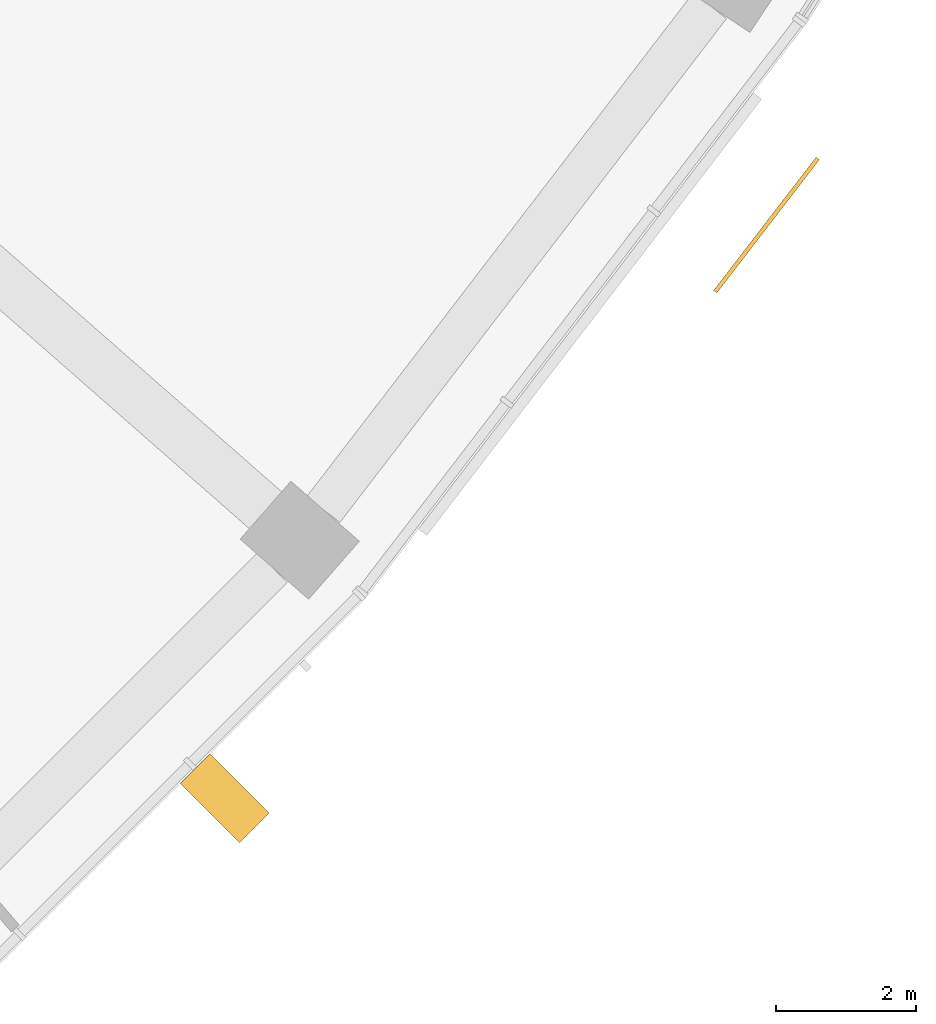
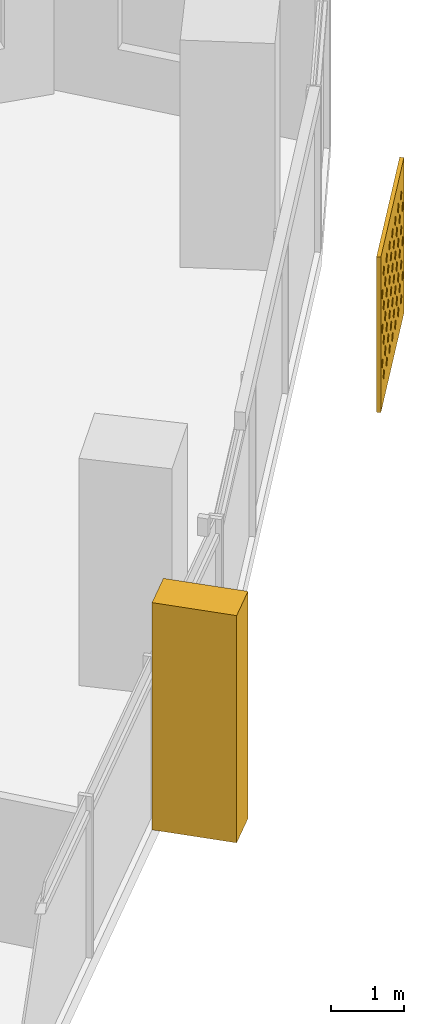
# One storey, part 27 of 27: 2 shading devices.
"""IFC4 building model written with IfcOpenShell, lengths in metres."""

from ifc_helpers import new_model, si_unit, direction, frame, origin, place, context, subcontext, project, spatial, polyline, outline, extrude, material, material_profile, profile_set, type_object, element, save


model = new_model("IFC4")

# Units and contexts
model_context = context("Model", 3, precision=1e-05, world=origin(), true_north=direction((0.0, 1.0)))
body_context = subcontext(model_context, "Body", "Model", "MODEL_VIEW")
ifc_project = project(units=[si_unit("LENGTHUNIT", "METRE"), si_unit("AREAUNIT", "SQUARE_METRE"), si_unit("VOLUMEUNIT", "CUBIC_METRE"), si_unit("PLANEANGLEUNIT", "RADIAN"), si_unit("MASSUNIT", "GRAM", prefix="KILO")], contexts=[model_context])

# Site, building, storey
site_placement = place(None, origin())
site = spatial("IfcSite", under=ifc_project, at=site_placement, CompositionType="ELEMENT")
building_placement = place(site_placement, origin())
building = spatial("IfcBuilding", under=site, at=building_placement, Name="Qamariyya Broadcast Tower", CompositionType="ELEMENT")
storey_placement = place(building_placement, frame((0.0, 0.0, 175.89990234375)))
storey = spatial("IfcBuildingStorey", under=building, at=storey_placement, Name="L41", CompositionType="ELEMENT", Elevation=175.89990234375)

# Shading devices
ifc_material_1 = material(Name="Steel S355 powder coated deep red", Category="steel")
shading_device_type_1 = type_object("IfcShadingDeviceType", Name="Deep red frame, powder coated steel box section", PredefinedType="USERDEFINED", material=ifc_material_1)
shading_device_1_placement = place(storey_placement, origin())
element("IfcShadingDevice", 1, at=shading_device_1_placement, inside=storey, type_object=shading_device_type_1, Name="e-frm-B3-F5-postb-L41", ObjectType="FRAME", PredefinedType="USERDEFINED", context=body_context, shape_type="SweptSolid", body=[
    extrude(outline(polyline([(56.74755859375, -54.736083984375), (57.595947265625, -55.584716796875), (58.020263671875, -55.160400390625), (57.171875, -54.311767578125), (56.74755859375, -54.736083984375)])), origin(), (0.0, 0.0, 1.0), 3.800048828125),
])
ifc_material_2 = material(Name="Perforated glazed terracotta", Category="masonry")
ifc_material_profile = material_profile(ifc_material_2, outline(polyline([(-1.199951171875, -1.300048828125), (1.199951171875, -1.300048828125), (1.199951171875, 1.300048828125), (-1.199951171875, 1.300048828125), (-1.199951171875, -1.300048828125)]), holes=[polyline([(-0.81494140625, -0.86669921875), (-0.89990234375, -0.78173828125), (-0.985107421875, -0.86669921875), (-0.89990234375, -0.95166015625), (-0.81494140625, -0.86669921875)]), polyline([(-0.514892578125, -0.86669921875), (-0.60009765625, -0.78173828125), (-0.68505859375, -0.86669921875), (-0.60009765625, -0.95166015625), (-0.514892578125, -0.86669921875)]), polyline([(-0.215087890625, -0.86669921875), (-0.300048828125, -0.78173828125), (-0.385009765625, -0.86669921875), (-0.300048828125, -0.95166015625), (-0.215087890625, -0.86669921875)]), polyline([(0.0849609375, -0.86669921875), (0.0, -0.78173828125), (-0.0849609375, -0.86669921875), (0.0, -0.95166015625), (0.0849609375, -0.86669921875)]), polyline([(0.385009765625, -0.86669921875), (0.300048828125, -0.78173828125), (0.215087890625, -0.86669921875), (0.300048828125, -0.95166015625), (0.385009765625, -0.86669921875)]), polyline([(0.68505859375, -0.86669921875), (0.60009765625, -0.78173828125), (0.514892578125, -0.86669921875), (0.60009765625, -0.95166015625), (0.68505859375, -0.86669921875)]), polyline([(0.985107421875, -0.86669921875), (0.89990234375, -0.78173828125), (0.81494140625, -0.86669921875), (0.89990234375, -0.95166015625), (0.985107421875, -0.86669921875)]), polyline([(-0.965087890625, -0.577880859375), (-1.050048828125, -0.49267578125), (-1.135009765625, -0.577880859375), (-1.050048828125, -0.662841796875), (-0.965087890625, -0.577880859375)]), polyline([(-0.6650390625, -0.577880859375), (-0.75, -0.49267578125), (-0.8349609375, -0.577880859375), (-0.75, -0.662841796875), (-0.6650390625, -0.577880859375)]), polyline([(-0.364990234375, -0.577880859375), (-0.449951171875, -0.49267578125), (-0.534912109375, -0.577880859375), (-0.449951171875, -0.662841796875), (-0.364990234375, -0.577880859375)]), polyline([(-0.06494140625, -0.577880859375), (-0.14990234375, -0.49267578125), (-0.235107421875, -0.577880859375), (-0.14990234375, -0.662841796875), (-0.06494140625, -0.577880859375)]), polyline([(0.235107421875, -0.577880859375), (0.14990234375, -0.49267578125), (0.06494140625, -0.577880859375), (0.14990234375, -0.662841796875), (0.235107421875, -0.577880859375)]), polyline([(0.534912109375, -0.577880859375), (0.449951171875, -0.49267578125), (0.364990234375, -0.577880859375), (0.449951171875, -0.662841796875), (0.534912109375, -0.577880859375)]), polyline([(0.8349609375, -0.577880859375), (0.75, -0.49267578125), (0.6650390625, -0.577880859375), (0.75, -0.662841796875), (0.8349609375, -0.577880859375)]), polyline([(1.135009765625, -0.577880859375), (1.050048828125, -0.49267578125), (0.965087890625, -0.577880859375), (1.050048828125, -0.662841796875), (1.135009765625, -0.577880859375)]), polyline([(-0.81494140625, -0.288818359375), (-0.89990234375, -0.203857421875), (-0.985107421875, -0.288818359375), (-0.89990234375, -0.373779296875), (-0.81494140625, -0.288818359375)]), polyline([(-0.514892578125, -0.288818359375), (-0.60009765625, -0.203857421875), (-0.68505859375, -0.288818359375), (-0.60009765625, -0.373779296875), (-0.514892578125, -0.288818359375)]), polyline([(-0.215087890625, -0.288818359375), (-0.300048828125, -0.203857421875), (-0.385009765625, -0.288818359375), (-0.300048828125, -0.373779296875), (-0.215087890625, -0.288818359375)]), polyline([(0.0849609375, -0.288818359375), (0.0, -0.203857421875), (-0.0849609375, -0.288818359375), (0.0, -0.373779296875), (0.0849609375, -0.288818359375)]), polyline([(0.385009765625, -0.288818359375), (0.300048828125, -0.203857421875), (0.215087890625, -0.288818359375), (0.300048828125, -0.373779296875), (0.385009765625, -0.288818359375)]), polyline([(0.68505859375, -0.288818359375), (0.60009765625, -0.203857421875), (0.514892578125, -0.288818359375), (0.60009765625, -0.373779296875), (0.68505859375, -0.288818359375)]), polyline([(0.985107421875, -0.288818359375), (0.89990234375, -0.203857421875), (0.81494140625, -0.288818359375), (0.89990234375, -0.373779296875), (0.985107421875, -0.288818359375)]), polyline([(-0.965087890625, 0.0), (-1.050048828125, 0.0849609375), (-1.135009765625, 0.0), (-1.050048828125, -0.0849609375), (-0.965087890625, 0.0)]), polyline([(-0.6650390625, 0.0), (-0.75, 0.0849609375), (-0.8349609375, 0.0), (-0.75, -0.0849609375), (-0.6650390625, 0.0)]), polyline([(-0.364990234375, 0.0), (-0.449951171875, 0.0849609375), (-0.534912109375, 0.0), (-0.449951171875, -0.0849609375), (-0.364990234375, 0.0)]), polyline([(-0.06494140625, 0.0), (-0.14990234375, 0.0849609375), (-0.235107421875, 0.0), (-0.14990234375, -0.0849609375), (-0.06494140625, 0.0)]), polyline([(0.235107421875, 0.0), (0.14990234375, 0.0849609375), (0.06494140625, 0.0), (0.14990234375, -0.0849609375), (0.235107421875, 0.0)]), polyline([(0.534912109375, 0.0), (0.449951171875, 0.0849609375), (0.364990234375, 0.0), (0.449951171875, -0.0849609375), (0.534912109375, 0.0)]), polyline([(0.8349609375, 0.0), (0.75, 0.0849609375), (0.6650390625, 0.0), (0.75, -0.0849609375), (0.8349609375, 0.0)]), polyline([(1.135009765625, 0.0), (1.050048828125, 0.0849609375), (0.965087890625, 0.0), (1.050048828125, -0.0849609375), (1.135009765625, 0.0)]), polyline([(-0.81494140625, 0.288818359375), (-0.89990234375, 0.373779296875), (-0.985107421875, 0.288818359375), (-0.89990234375, 0.203857421875), (-0.81494140625, 0.288818359375)]), polyline([(-0.514892578125, 0.288818359375), (-0.60009765625, 0.373779296875), (-0.68505859375, 0.288818359375), (-0.60009765625, 0.203857421875), (-0.514892578125, 0.288818359375)]), polyline([(-0.215087890625, 0.288818359375), (-0.300048828125, 0.373779296875), (-0.385009765625, 0.288818359375), (-0.300048828125, 0.203857421875), (-0.215087890625, 0.288818359375)]), polyline([(0.0849609375, 0.288818359375), (0.0, 0.373779296875), (-0.0849609375, 0.288818359375), (0.0, 0.203857421875), (0.0849609375, 0.288818359375)]), polyline([(0.385009765625, 0.288818359375), (0.300048828125, 0.373779296875), (0.215087890625, 0.288818359375), (0.300048828125, 0.203857421875), (0.385009765625, 0.288818359375)]), polyline([(0.68505859375, 0.288818359375), (0.60009765625, 0.373779296875), (0.514892578125, 0.288818359375), (0.60009765625, 0.203857421875), (0.68505859375, 0.288818359375)]), polyline([(0.985107421875, 0.288818359375), (0.89990234375, 0.373779296875), (0.81494140625, 0.288818359375), (0.89990234375, 0.203857421875), (0.985107421875, 0.288818359375)]), polyline([(-0.965087890625, 0.577880859375), (-1.050048828125, 0.662841796875), (-1.135009765625, 0.577880859375), (-1.050048828125, 0.49267578125), (-0.965087890625, 0.577880859375)]), polyline([(-0.6650390625, 0.577880859375), (-0.75, 0.662841796875), (-0.8349609375, 0.577880859375), (-0.75, 0.49267578125), (-0.6650390625, 0.577880859375)]), polyline([(-0.364990234375, 0.577880859375), (-0.449951171875, 0.662841796875), (-0.534912109375, 0.577880859375), (-0.449951171875, 0.49267578125), (-0.364990234375, 0.577880859375)]), polyline([(-0.06494140625, 0.577880859375), (-0.14990234375, 0.662841796875), (-0.235107421875, 0.577880859375), (-0.14990234375, 0.49267578125), (-0.06494140625, 0.577880859375)]), polyline([(0.235107421875, 0.577880859375), (0.14990234375, 0.662841796875), (0.06494140625, 0.577880859375), (0.14990234375, 0.49267578125), (0.235107421875, 0.577880859375)]), polyline([(0.534912109375, 0.577880859375), (0.449951171875, 0.662841796875), (0.364990234375, 0.577880859375), (0.449951171875, 0.49267578125), (0.534912109375, 0.577880859375)]), polyline([(0.8349609375, 0.577880859375), (0.75, 0.662841796875), (0.6650390625, 0.577880859375), (0.75, 0.49267578125), (0.8349609375, 0.577880859375)]), polyline([(1.135009765625, 0.577880859375), (1.050048828125, 0.662841796875), (0.965087890625, 0.577880859375), (1.050048828125, 0.49267578125), (1.135009765625, 0.577880859375)]), polyline([(-0.81494140625, 0.86669921875), (-0.89990234375, 0.95166015625), (-0.985107421875, 0.86669921875), (-0.89990234375, 0.78173828125), (-0.81494140625, 0.86669921875)]), polyline([(-0.514892578125, 0.86669921875), (-0.60009765625, 0.95166015625), (-0.68505859375, 0.86669921875), (-0.60009765625, 0.78173828125), (-0.514892578125, 0.86669921875)]), polyline([(-0.215087890625, 0.86669921875), (-0.300048828125, 0.95166015625), (-0.385009765625, 0.86669921875), (-0.300048828125, 0.78173828125), (-0.215087890625, 0.86669921875)]), polyline([(0.0849609375, 0.86669921875), (0.0, 0.95166015625), (-0.0849609375, 0.86669921875), (0.0, 0.78173828125), (0.0849609375, 0.86669921875)]), polyline([(0.385009765625, 0.86669921875), (0.300048828125, 0.95166015625), (0.215087890625, 0.86669921875), (0.300048828125, 0.78173828125), (0.385009765625, 0.86669921875)]), polyline([(0.68505859375, 0.86669921875), (0.60009765625, 0.95166015625), (0.514892578125, 0.86669921875), (0.60009765625, 0.78173828125), (0.68505859375, 0.86669921875)]), polyline([(0.985107421875, 0.86669921875), (0.89990234375, 0.95166015625), (0.81494140625, 0.86669921875), (0.89990234375, 0.78173828125), (0.985107421875, 0.86669921875)])]))
ifc_profile_set = profile_set([ifc_material_profile], Name="Perforated glazed terracotta")
shading_device_type_2 = type_object("IfcShadingDeviceType", Name="Perforated terracotta screen 2400 x 2600", PredefinedType="USERDEFINED", material=ifc_profile_set)
shading_device_2_placement = place(storey_placement, frame((65.095458984375, -46.745849609375, 1.35009765625), z_axis=(0.792623989105, -0.60971076085, 0.0), x_axis=(0.60971076085, 0.792623989105, 0.0)))
element("IfcShadingDevice", 2, at=shading_device_2_placement, inside=storey, type_object=shading_device_type_2, Name="e-scr-L41-14-2", ObjectType="SCREEN", PredefinedType="USERDEFINED", context=body_context, shape_type="SweptSolid", body=[
    extrude(outline(polyline([(-1.199951171875, -1.300048828125), (1.199951171875, -1.300048828125), (1.199951171875, 1.300048828125), (-1.199951171875, 1.300048828125), (-1.199951171875, -1.300048828125)]), holes=[polyline([(-0.81494140625, -0.86669921875), (-0.89990234375, -0.78173828125), (-0.985107421875, -0.86669921875), (-0.89990234375, -0.95166015625), (-0.81494140625, -0.86669921875)]), polyline([(-0.514892578125, -0.86669921875), (-0.60009765625, -0.78173828125), (-0.68505859375, -0.86669921875), (-0.60009765625, -0.95166015625), (-0.514892578125, -0.86669921875)]), polyline([(-0.215087890625, -0.86669921875), (-0.300048828125, -0.78173828125), (-0.385009765625, -0.86669921875), (-0.300048828125, -0.95166015625), (-0.215087890625, -0.86669921875)]), polyline([(0.0849609375, -0.86669921875), (0.0, -0.78173828125), (-0.0849609375, -0.86669921875), (0.0, -0.95166015625), (0.0849609375, -0.86669921875)]), polyline([(0.385009765625, -0.86669921875), (0.300048828125, -0.78173828125), (0.215087890625, -0.86669921875), (0.300048828125, -0.95166015625), (0.385009765625, -0.86669921875)]), polyline([(0.68505859375, -0.86669921875), (0.60009765625, -0.78173828125), (0.514892578125, -0.86669921875), (0.60009765625, -0.95166015625), (0.68505859375, -0.86669921875)]), polyline([(0.985107421875, -0.86669921875), (0.89990234375, -0.78173828125), (0.81494140625, -0.86669921875), (0.89990234375, -0.95166015625), (0.985107421875, -0.86669921875)]), polyline([(-0.965087890625, -0.577880859375), (-1.050048828125, -0.49267578125), (-1.135009765625, -0.577880859375), (-1.050048828125, -0.662841796875), (-0.965087890625, -0.577880859375)]), polyline([(-0.6650390625, -0.577880859375), (-0.75, -0.49267578125), (-0.8349609375, -0.577880859375), (-0.75, -0.662841796875), (-0.6650390625, -0.577880859375)]), polyline([(-0.364990234375, -0.577880859375), (-0.449951171875, -0.49267578125), (-0.534912109375, -0.577880859375), (-0.449951171875, -0.662841796875), (-0.364990234375, -0.577880859375)]), polyline([(-0.06494140625, -0.577880859375), (-0.14990234375, -0.49267578125), (-0.235107421875, -0.577880859375), (-0.14990234375, -0.662841796875), (-0.06494140625, -0.577880859375)]), polyline([(0.235107421875, -0.577880859375), (0.14990234375, -0.49267578125), (0.06494140625, -0.577880859375), (0.14990234375, -0.662841796875), (0.235107421875, -0.577880859375)]), polyline([(0.534912109375, -0.577880859375), (0.449951171875, -0.49267578125), (0.364990234375, -0.577880859375), (0.449951171875, -0.662841796875), (0.534912109375, -0.577880859375)]), polyline([(0.8349609375, -0.577880859375), (0.75, -0.49267578125), (0.6650390625, -0.577880859375), (0.75, -0.662841796875), (0.8349609375, -0.577880859375)]), polyline([(1.135009765625, -0.577880859375), (1.050048828125, -0.49267578125), (0.965087890625, -0.577880859375), (1.050048828125, -0.662841796875), (1.135009765625, -0.577880859375)]), polyline([(-0.81494140625, -0.288818359375), (-0.89990234375, -0.203857421875), (-0.985107421875, -0.288818359375), (-0.89990234375, -0.373779296875), (-0.81494140625, -0.288818359375)]), polyline([(-0.514892578125, -0.288818359375), (-0.60009765625, -0.203857421875), (-0.68505859375, -0.288818359375), (-0.60009765625, -0.373779296875), (-0.514892578125, -0.288818359375)]), polyline([(-0.215087890625, -0.288818359375), (-0.300048828125, -0.203857421875), (-0.385009765625, -0.288818359375), (-0.300048828125, -0.373779296875), (-0.215087890625, -0.288818359375)]), polyline([(0.0849609375, -0.288818359375), (0.0, -0.203857421875), (-0.0849609375, -0.288818359375), (0.0, -0.373779296875), (0.0849609375, -0.288818359375)]), polyline([(0.385009765625, -0.288818359375), (0.300048828125, -0.203857421875), (0.215087890625, -0.288818359375), (0.300048828125, -0.373779296875), (0.385009765625, -0.288818359375)]), polyline([(0.68505859375, -0.288818359375), (0.60009765625, -0.203857421875), (0.514892578125, -0.288818359375), (0.60009765625, -0.373779296875), (0.68505859375, -0.288818359375)]), polyline([(0.985107421875, -0.288818359375), (0.89990234375, -0.203857421875), (0.81494140625, -0.288818359375), (0.89990234375, -0.373779296875), (0.985107421875, -0.288818359375)]), polyline([(-0.965087890625, 0.0), (-1.050048828125, 0.0849609375), (-1.135009765625, 0.0), (-1.050048828125, -0.0849609375), (-0.965087890625, 0.0)]), polyline([(-0.6650390625, 0.0), (-0.75, 0.0849609375), (-0.8349609375, 0.0), (-0.75, -0.0849609375), (-0.6650390625, 0.0)]), polyline([(-0.364990234375, 0.0), (-0.449951171875, 0.0849609375), (-0.534912109375, 0.0), (-0.449951171875, -0.0849609375), (-0.364990234375, 0.0)]), polyline([(-0.06494140625, 0.0), (-0.14990234375, 0.0849609375), (-0.235107421875, 0.0), (-0.14990234375, -0.0849609375), (-0.06494140625, 0.0)]), polyline([(0.235107421875, 0.0), (0.14990234375, 0.0849609375), (0.06494140625, 0.0), (0.14990234375, -0.0849609375), (0.235107421875, 0.0)]), polyline([(0.534912109375, 0.0), (0.449951171875, 0.0849609375), (0.364990234375, 0.0), (0.449951171875, -0.0849609375), (0.534912109375, 0.0)]), polyline([(0.8349609375, 0.0), (0.75, 0.0849609375), (0.6650390625, 0.0), (0.75, -0.0849609375), (0.8349609375, 0.0)]), polyline([(1.135009765625, 0.0), (1.050048828125, 0.0849609375), (0.965087890625, 0.0), (1.050048828125, -0.0849609375), (1.135009765625, 0.0)]), polyline([(-0.81494140625, 0.288818359375), (-0.89990234375, 0.373779296875), (-0.985107421875, 0.288818359375), (-0.89990234375, 0.203857421875), (-0.81494140625, 0.288818359375)]), polyline([(-0.514892578125, 0.288818359375), (-0.60009765625, 0.373779296875), (-0.68505859375, 0.288818359375), (-0.60009765625, 0.203857421875), (-0.514892578125, 0.288818359375)]), polyline([(-0.215087890625, 0.288818359375), (-0.300048828125, 0.373779296875), (-0.385009765625, 0.288818359375), (-0.300048828125, 0.203857421875), (-0.215087890625, 0.288818359375)]), polyline([(0.0849609375, 0.288818359375), (0.0, 0.373779296875), (-0.0849609375, 0.288818359375), (0.0, 0.203857421875), (0.0849609375, 0.288818359375)]), polyline([(0.385009765625, 0.288818359375), (0.300048828125, 0.373779296875), (0.215087890625, 0.288818359375), (0.300048828125, 0.203857421875), (0.385009765625, 0.288818359375)]), polyline([(0.68505859375, 0.288818359375), (0.60009765625, 0.373779296875), (0.514892578125, 0.288818359375), (0.60009765625, 0.203857421875), (0.68505859375, 0.288818359375)]), polyline([(0.985107421875, 0.288818359375), (0.89990234375, 0.373779296875), (0.81494140625, 0.288818359375), (0.89990234375, 0.203857421875), (0.985107421875, 0.288818359375)]), polyline([(-0.965087890625, 0.577880859375), (-1.050048828125, 0.662841796875), (-1.135009765625, 0.577880859375), (-1.050048828125, 0.49267578125), (-0.965087890625, 0.577880859375)]), polyline([(-0.6650390625, 0.577880859375), (-0.75, 0.662841796875), (-0.8349609375, 0.577880859375), (-0.75, 0.49267578125), (-0.6650390625, 0.577880859375)]), polyline([(-0.364990234375, 0.577880859375), (-0.449951171875, 0.662841796875), (-0.534912109375, 0.577880859375), (-0.449951171875, 0.49267578125), (-0.364990234375, 0.577880859375)]), polyline([(-0.06494140625, 0.577880859375), (-0.14990234375, 0.662841796875), (-0.235107421875, 0.577880859375), (-0.14990234375, 0.49267578125), (-0.06494140625, 0.577880859375)]), polyline([(0.235107421875, 0.577880859375), (0.14990234375, 0.662841796875), (0.06494140625, 0.577880859375), (0.14990234375, 0.49267578125), (0.235107421875, 0.577880859375)]), polyline([(0.534912109375, 0.577880859375), (0.449951171875, 0.662841796875), (0.364990234375, 0.577880859375), (0.449951171875, 0.49267578125), (0.534912109375, 0.577880859375)]), polyline([(0.8349609375, 0.577880859375), (0.75, 0.662841796875), (0.6650390625, 0.577880859375), (0.75, 0.49267578125), (0.8349609375, 0.577880859375)]), polyline([(1.135009765625, 0.577880859375), (1.050048828125, 0.662841796875), (0.965087890625, 0.577880859375), (1.050048828125, 0.49267578125), (1.135009765625, 0.577880859375)]), polyline([(-0.81494140625, 0.86669921875), (-0.89990234375, 0.95166015625), (-0.985107421875, 0.86669921875), (-0.89990234375, 0.78173828125), (-0.81494140625, 0.86669921875)]), polyline([(-0.514892578125, 0.86669921875), (-0.60009765625, 0.95166015625), (-0.68505859375, 0.86669921875), (-0.60009765625, 0.78173828125), (-0.514892578125, 0.86669921875)]), polyline([(-0.215087890625, 0.86669921875), (-0.300048828125, 0.95166015625), (-0.385009765625, 0.86669921875), (-0.300048828125, 0.78173828125), (-0.215087890625, 0.86669921875)]), polyline([(0.0849609375, 0.86669921875), (0.0, 0.95166015625), (-0.0849609375, 0.86669921875), (0.0, 0.78173828125), (0.0849609375, 0.86669921875)]), polyline([(0.385009765625, 0.86669921875), (0.300048828125, 0.95166015625), (0.215087890625, 0.86669921875), (0.300048828125, 0.78173828125), (0.385009765625, 0.86669921875)]), polyline([(0.68505859375, 0.86669921875), (0.60009765625, 0.95166015625), (0.514892578125, 0.86669921875), (0.60009765625, 0.78173828125), (0.68505859375, 0.86669921875)]), polyline([(0.985107421875, 0.86669921875), (0.89990234375, 0.95166015625), (0.81494140625, 0.86669921875), (0.89990234375, 0.78173828125), (0.985107421875, 0.86669921875)])]), origin(), (0.0, 0.0, 1.0), 0.06005859375),
])

save(model, "model.ifc")
